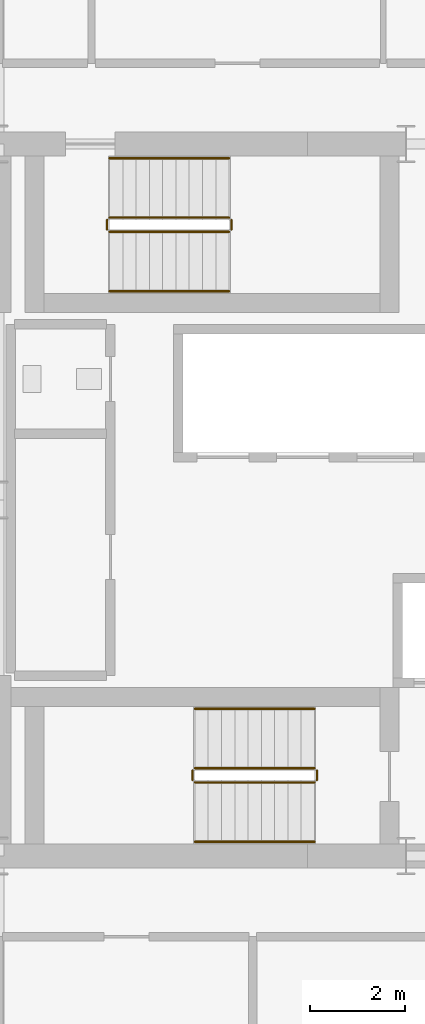
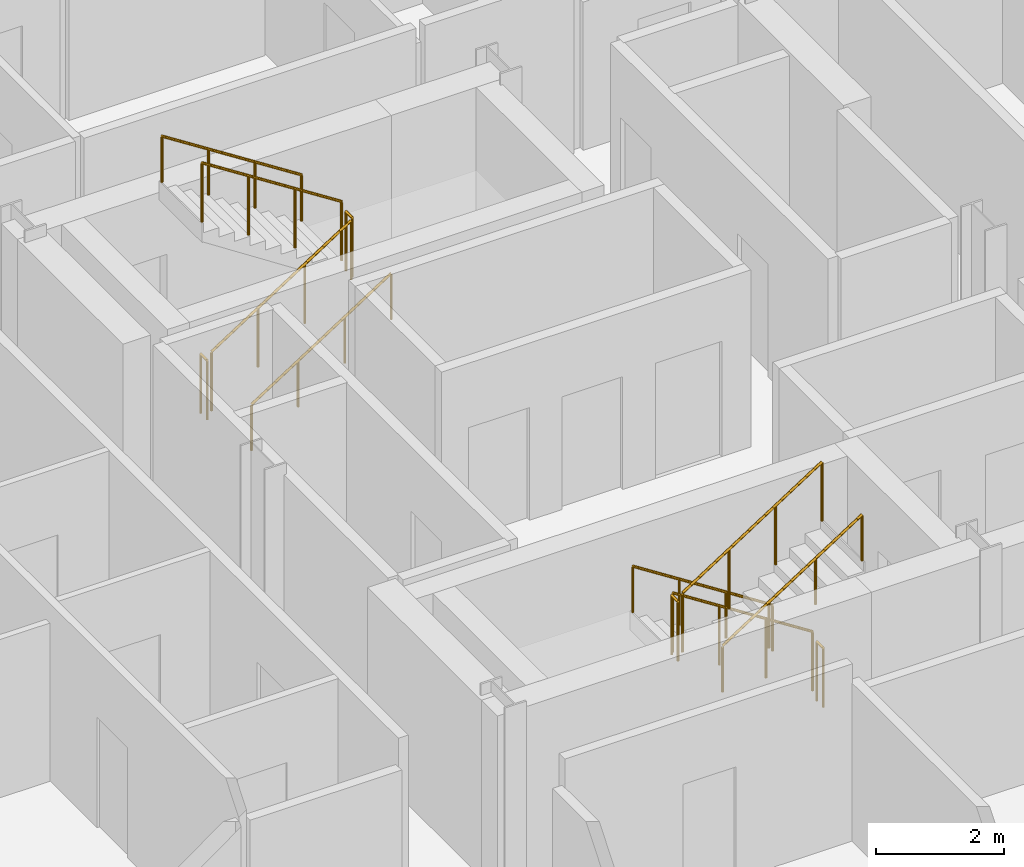
# One storey, part 22 of 23: 12 railings.
"""IFC4 building model written with IfcOpenShell, lengths in metres."""

from ifc_helpers import new_model, si_unit, direction, frame, origin, origin_2d, place, context, subcontext, project, spatial, circle, extrude, material, type_object, element, save


model = new_model("IFC4")

# Units and contexts
model_context = context("Model", 3, precision=1e-05, world=origin(), true_north=direction((0.0, 1.0)))
body_context = subcontext(model_context, "Body", "Model", "MODEL_VIEW")
ifc_project = project(units=[si_unit("LENGTHUNIT", "METRE"), si_unit("AREAUNIT", "SQUARE_METRE"), si_unit("VOLUMEUNIT", "CUBIC_METRE"), si_unit("PLANEANGLEUNIT", "RADIAN"), si_unit("MASSUNIT", "GRAM", prefix="KILO")], contexts=[model_context])

# Site, building, storey
site_placement = place(None, origin())
site = spatial("IfcSite", under=ifc_project, at=site_placement, CompositionType="ELEMENT")
building_placement = place(site_placement, origin())
building = spatial("IfcBuilding", under=site, at=building_placement, Name="Barlavira Tower and Art Museum", CompositionType="ELEMENT")
storey_placement = place(building_placement, frame((0.0, 0.0, 247.5)))
storey = spatial("IfcBuildingStorey", under=building, at=storey_placement, Name="L64", CompositionType="ELEMENT", Elevation=247.5)

# Railings
ifc_material = material(Name="Brushed stainless steel", Category="steel")
railing_type_1 = type_object("IfcRailingType", Name="Interior Void and Landing Guard Railing 1150", PredefinedType="GUARDRAIL", material=ifc_material)
railing_1_placement = place(storey_placement, frame((0.14990234375, -5.64990234375, 0.179931640625)))
element("IfcRailing", 1, at=railing_1_placement, inside=storey, type_object=railing_type_1, Name="L64 ST-T1 stair guard 1", PredefinedType="GUARDRAIL", context=body_context, shape_type="SweptSolid", body=[
    extrude(circle(Radius=0.02392578125, at=origin_2d()), frame((0.0, 0.0, 1.1259765625), z_axis=(-0.841162588446, 0.0, 0.540782303519), x_axis=(0.0, -1.0, 0.0)), (0.0, 0.0, 1.0), 2.995849609375),
    extrude(circle(Radius=0.02099609375, at=origin_2d()), origin(), (0.0, 0.0, 1.0), 1.101806640625),
    extrude(circle(Radius=0.02099609375, at=origin_2d()), frame((-0.840087890625, 0.0, 0.5400390625)), (0.0, 0.0, 1.0), 1.101806640625),
    extrude(circle(Radius=0.02099609375, at=origin_2d()), frame((-1.679931640625, 0.0, 1.080078125)), (0.0, 0.0, 1.0), 1.101806640625),
    extrude(circle(Radius=0.02099609375, at=origin_2d()), frame((-2.52001953125, 0.0, 1.6201171875)), (0.0, 0.0, 1.0), 1.101806640625),
])
railing_2_placement = place(storey_placement, frame((-2.419921875, -5.699951171875, 1.800048828125)))
element("IfcRailing", 2, at=railing_2_placement, inside=storey, type_object=railing_type_1, Name="L64 ST-T1 stair guard 2", PredefinedType="GUARDRAIL", context=body_context, shape_type="SweptSolid", body=[
    extrude(circle(Radius=0.02392578125, at=origin_2d()), frame((0.0, 0.0, 1.1259765625), z_axis=(0.0, -1.0, 0.0), x_axis=(1.0, 0.0, 0.0)), (0.0, 0.0, 1.0), 0.199951171875),
    extrude(circle(Radius=0.02099609375, at=origin_2d()), origin(), (0.0, 0.0, 1.0), 1.101806640625),
    extrude(circle(Radius=0.02099609375, at=origin_2d()), frame((0.0, -0.199951171875, 0.0)), (0.0, 0.0, 1.0), 1.101806640625),
])
railing_3_placement = place(storey_placement, frame((-2.3701171875, -5.949951171875, 1.97998046875)))
element("IfcRailing", 3, at=railing_3_placement, inside=storey, type_object=railing_type_1, Name="L64 ST-T1 stair guard 3", PredefinedType="GUARDRAIL", context=body_context, shape_type="SweptSolid", body=[
    extrude(circle(Radius=0.02392578125, at=origin_2d()), frame((0.0, 0.0, 1.1259765625), z_axis=(0.841162588446, 0.0, 0.540782303519), x_axis=(0.0, 1.0, 0.0)), (0.0, 0.0, 1.0), 2.995849609375),
    extrude(circle(Radius=0.02099609375, at=origin_2d()), origin(), (0.0, 0.0, 1.0), 1.101806640625),
    extrude(circle(Radius=0.02099609375, at=origin_2d()), frame((0.840087890625, 0.0, 0.5400390625)), (0.0, 0.0, 1.0), 1.101806640625),
    extrude(circle(Radius=0.02099609375, at=origin_2d()), frame((1.679931640625, 0.0, 1.080078125)), (0.0, 0.0, 1.0), 1.101806640625),
    extrude(circle(Radius=0.02099609375, at=origin_2d()), frame((2.52001953125, 0.0, 1.6201171875)), (0.0, 0.0, 1.0), 1.101806640625),
])
railing_4_placement = place(storey_placement, frame((0.199951171875, -5.699951171875, 0.0)))
element("IfcRailing", 4, at=railing_4_placement, inside=storey, type_object=railing_type_1, Name="L64 ST-T1 stair guard 4", PredefinedType="GUARDRAIL", context=body_context, shape_type="SweptSolid", body=[
    extrude(circle(Radius=0.02392578125, at=origin_2d()), frame((0.0, 0.0, 1.1259765625), z_axis=(0.0, -1.0, 0.0), x_axis=(1.0, 0.0, 0.0)), (0.0, 0.0, 1.0), 0.199951171875),
    extrude(circle(Radius=0.02099609375, at=origin_2d()), origin(), (0.0, 0.0, 1.0), 1.101806640625),
    extrude(circle(Radius=0.02099609375, at=origin_2d()), frame((0.0, -0.199951171875, 0.0)), (0.0, 0.0, 1.0), 1.101806640625),
])
railing_5_placement = place(storey_placement, frame((-4.169921875, 5.64990234375, 0.179931640625)))
element("IfcRailing", 5, at=railing_5_placement, inside=storey, type_object=railing_type_1, Name="L64 ST-T2 stair guard 1", PredefinedType="GUARDRAIL", context=body_context, shape_type="SweptSolid", body=[
    extrude(circle(Radius=0.02392578125, at=origin_2d()), frame((0.0, 0.0, 1.1259765625), z_axis=(0.841162588446, 0.0, 0.540782303519), x_axis=(0.0, 1.0, 0.0)), (0.0, 0.0, 1.0), 2.995849609375),
    extrude(circle(Radius=0.02099609375, at=origin_2d()), origin(), (0.0, 0.0, 1.0), 1.101806640625),
    extrude(circle(Radius=0.02099609375, at=origin_2d()), frame((0.840087890625, 0.0, 0.5400390625)), (0.0, 0.0, 1.0), 1.101806640625),
    extrude(circle(Radius=0.02099609375, at=origin_2d()), frame((1.679931640625, 0.0, 1.080078125)), (0.0, 0.0, 1.0), 1.101806640625),
    extrude(circle(Radius=0.02099609375, at=origin_2d()), frame((2.52001953125, 0.0, 1.6201171875)), (0.0, 0.0, 1.0), 1.101806640625),
])
railing_6_placement = place(storey_placement, frame((-1.60009765625, 5.699951171875, 1.800048828125)))
element("IfcRailing", 6, at=railing_6_placement, inside=storey, type_object=railing_type_1, Name="L64 ST-T2 stair guard 2", PredefinedType="GUARDRAIL", context=body_context, shape_type="SweptSolid", body=[
    extrude(circle(Radius=0.02392578125, at=origin_2d()), frame((0.0, 0.0, 1.1259765625), z_axis=(0.0, 1.0, 0.0), x_axis=(-1.0, 0.0, 0.0)), (0.0, 0.0, 1.0), 0.199951171875),
    extrude(circle(Radius=0.02099609375, at=origin_2d()), origin(), (0.0, 0.0, 1.0), 1.101806640625),
    extrude(circle(Radius=0.02099609375, at=origin_2d()), frame((0.0, 0.199951171875, 0.0)), (0.0, 0.0, 1.0), 1.101806640625),
])
railing_7_placement = place(storey_placement, frame((-1.64990234375, 5.949951171875, 1.97998046875)))
element("IfcRailing", 7, at=railing_7_placement, inside=storey, type_object=railing_type_1, Name="L64 ST-T2 stair guard 3", PredefinedType="GUARDRAIL", context=body_context, shape_type="SweptSolid", body=[
    extrude(circle(Radius=0.02392578125, at=origin_2d()), frame((0.0, 0.0, 1.1259765625), z_axis=(-0.841162588446, 0.0, 0.540782303519), x_axis=(0.0, -1.0, 0.0)), (0.0, 0.0, 1.0), 2.995849609375),
    extrude(circle(Radius=0.02099609375, at=origin_2d()), origin(), (0.0, 0.0, 1.0), 1.101806640625),
    extrude(circle(Radius=0.02099609375, at=origin_2d()), frame((-0.840087890625, 0.0, 0.5400390625)), (0.0, 0.0, 1.0), 1.101806640625),
    extrude(circle(Radius=0.02099609375, at=origin_2d()), frame((-1.679931640625, 0.0, 1.080078125)), (0.0, 0.0, 1.0), 1.101806640625),
    extrude(circle(Radius=0.02099609375, at=origin_2d()), frame((-2.52001953125, 0.0, 1.6201171875)), (0.0, 0.0, 1.0), 1.101806640625),
])
railing_8_placement = place(storey_placement, frame((-4.219970703125, 5.699951171875, 0.0)))
element("IfcRailing", 8, at=railing_8_placement, inside=storey, type_object=railing_type_1, Name="L64 ST-T2 stair guard 4", PredefinedType="GUARDRAIL", context=body_context, shape_type="SweptSolid", body=[
    extrude(circle(Radius=0.02392578125, at=origin_2d()), frame((0.0, 0.0, 1.1259765625), z_axis=(0.0, 1.0, 0.0), x_axis=(-1.0, 0.0, 0.0)), (0.0, 0.0, 1.0), 0.199951171875),
    extrude(circle(Radius=0.02099609375, at=origin_2d()), origin(), (0.0, 0.0, 1.0), 1.101806640625),
    extrude(circle(Radius=0.02099609375, at=origin_2d()), frame((0.0, 0.199951171875, 0.0)), (0.0, 0.0, 1.0), 1.101806640625),
])
railing_type_2 = type_object("IfcRailingType", Name="Stair Pitch Tubular Steel Handrail 920", PredefinedType="HANDRAIL", material=ifc_material)
railing_9_placement = place(storey_placement, frame((0.14990234375, -4.39990234375, 0.179931640625)))
element("IfcRailing", 9, at=railing_9_placement, inside=storey, type_object=railing_type_2, Name="L64 ST-T1 stair handrail 1", PredefinedType="HANDRAIL", context=body_context, shape_type="SweptSolid", body=[
    extrude(circle(Radius=0.02392578125, at=origin_2d()), frame((0.0, 0.0, 0.8759765625), z_axis=(-0.841162588446, 0.0, 0.540782303519), x_axis=(0.0, -1.0, 0.0)), (0.0, 0.0, 1.0), 2.995849609375),
    extrude(circle(Radius=0.02099609375, at=origin_2d()), origin(), (0.0, 0.0, 1.0), 0.851806640625),
    extrude(circle(Radius=0.02099609375, at=origin_2d()), frame((-0.840087890625, 0.0, 0.5400390625)), (0.0, 0.0, 1.0), 0.851806640625),
    extrude(circle(Radius=0.02099609375, at=origin_2d()), frame((-1.679931640625, 0.0, 1.080078125)), (0.0, 0.0, 1.0), 0.851806640625),
    extrude(circle(Radius=0.02099609375, at=origin_2d()), frame((-2.52001953125, 0.0, 1.6201171875)), (0.0, 0.0, 1.0), 0.851806640625),
])
for number, where, name in (
    (10, (-2.3701171875, -7.199951171875, 1.97998046875), "L64 ST-T1 stair handrail 2"),
    (11, (-4.169921875, 4.39990234375, 0.179931640625), "L64 ST-T2 stair handrail 1"),
):
    element("IfcRailing", number, at=place(storey_placement, frame(where)), inside=storey, type_object=railing_type_2, Name=name, PredefinedType="HANDRAIL", context=body_context, shape_type="SweptSolid", body=[
        extrude(circle(Radius=0.02392578125, at=origin_2d()), frame((0.0, 0.0, 0.8759765625), z_axis=(0.841162588446, 0.0, 0.540782303519), x_axis=(0.0, 1.0, 0.0)), (0.0, 0.0, 1.0), 2.995849609375),
        extrude(circle(Radius=0.02099609375, at=origin_2d()), origin(), (0.0, 0.0, 1.0), 0.851806640625),
        extrude(circle(Radius=0.02099609375, at=origin_2d()), frame((0.840087890625, 0.0, 0.5400390625)), (0.0, 0.0, 1.0), 0.851806640625),
        extrude(circle(Radius=0.02099609375, at=origin_2d()), frame((1.679931640625, 0.0, 1.080078125)), (0.0, 0.0, 1.0), 0.851806640625),
        extrude(circle(Radius=0.02099609375, at=origin_2d()), frame((2.52001953125, 0.0, 1.6201171875)), (0.0, 0.0, 1.0), 0.851806640625),
    ])
railing_10_placement = place(storey_placement, frame((-1.64990234375, 7.199951171875, 1.97998046875)))
element("IfcRailing", 12, at=railing_10_placement, inside=storey, type_object=railing_type_2, Name="L64 ST-T2 stair handrail 2", PredefinedType="HANDRAIL", context=body_context, shape_type="SweptSolid", body=[
    extrude(circle(Radius=0.02392578125, at=origin_2d()), frame((0.0, 0.0, 0.8759765625), z_axis=(-0.841162588446, 0.0, 0.540782303519), x_axis=(0.0, -1.0, 0.0)), (0.0, 0.0, 1.0), 2.995849609375),
    extrude(circle(Radius=0.02099609375, at=origin_2d()), origin(), (0.0, 0.0, 1.0), 0.851806640625),
    extrude(circle(Radius=0.02099609375, at=origin_2d()), frame((-0.840087890625, 0.0, 0.5400390625)), (0.0, 0.0, 1.0), 0.851806640625),
    extrude(circle(Radius=0.02099609375, at=origin_2d()), frame((-1.679931640625, 0.0, 1.080078125)), (0.0, 0.0, 1.0), 0.851806640625),
    extrude(circle(Radius=0.02099609375, at=origin_2d()), frame((-2.52001953125, 0.0, 1.6201171875)), (0.0, 0.0, 1.0), 0.851806640625),
])

save(model, "model.ifc")
